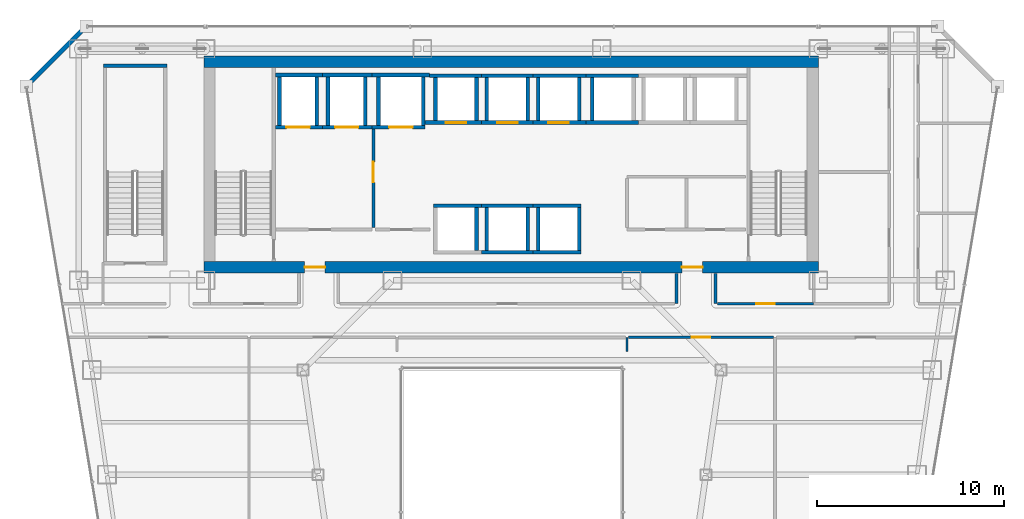
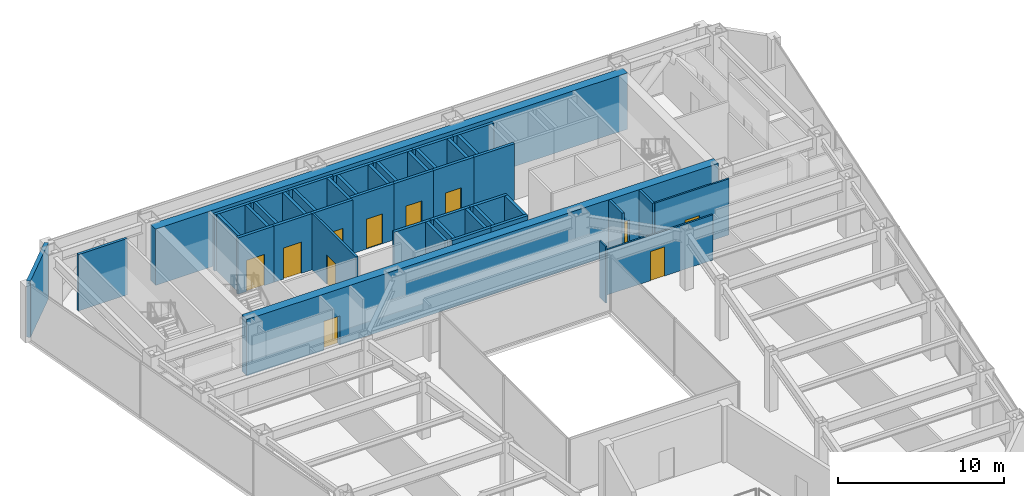
# One storey, part 29 of 35: 47 walls, 11 doors, 11 openings.
"""IFC4 building model written with IfcOpenShell, lengths in metres."""

from ifc_helpers import new_model, si_unit, direction, frame, frame_2d, origin, place, context, subcontext, project, spatial, rectangle, extrude, material, layer, layer_set, type_object, element, fill, save


model = new_model("IFC4")

# Units and contexts
model_context = context("Model", 3, precision=1e-05, world=origin(), true_north=direction((0.0, 1.0)))
body_context = subcontext(model_context, "Body", "Model", "MODEL_VIEW")
ifc_project = project(units=[si_unit("LENGTHUNIT", "METRE"), si_unit("AREAUNIT", "SQUARE_METRE"), si_unit("VOLUMEUNIT", "CUBIC_METRE"), si_unit("PLANEANGLEUNIT", "RADIAN"), si_unit("MASSUNIT", "GRAM", prefix="KILO")], contexts=[model_context])

# Site, building, storey
site_placement = place(None, origin())
site = spatial("IfcSite", under=ifc_project, at=site_placement, CompositionType="ELEMENT")
building_placement = place(site_placement, origin())
building = spatial("IfcBuilding", under=site, at=building_placement, Name="Saevonmaru Cultural Tower", CompositionType="ELEMENT")
storey_placement = place(building_placement, frame((0.0, 0.0, 101.60009765625)))
storey = spatial("IfcBuildingStorey", under=building, at=storey_placement, Name="L21", CompositionType="ELEMENT", Elevation=101.60009765625)

# Wall, openings, doors
ifc_material_1 = material(Name="Concrete C60/75", Category="concrete")
ifc_layer_1 = layer(ifc_material_1, 0.60009765625, Name="Concrete C60/75")
ifc_layer_set_1 = layer_set([ifc_layer_1], Name="Concrete C60/75")
wall_type_1 = type_object("IfcWallType", Name="WL-CORE-600", PredefinedType="SHEAR", material=ifc_layer_set_1)
wall_1_placement = place(storey_placement, frame((13.5, 43.10009765625, 0.0), z_axis=(0.0, 0.0, 1.0), x_axis=(1.0, 0.0, 0.0)))
wall_1 = element("IfcWall", 1, at=wall_1_placement, inside=storey, type_object=wall_type_1, Name="L21 Tower RC core shear wall S", PredefinedType="SHEAR", context=body_context, shape_type="SweptSolid", body=[
    extrude(rectangle(XDim=32.89990234375, YDim=0.60009765625, at=frame_2d((16.449951171875, 0.0))), origin(), (0.0, 0.0, 1.0), 4.14990234375),
])
opening_1_placement = place(wall_1_placement, frame((5.39990234375, 0.0, 0.0)))
opening_1 = element("IfcOpeningElement", 2, at=opening_1_placement, cuts=wall_1, Name="Opening FD-2", PredefinedType="OPENING", context=body_context, shape_type="SweptSolid", body=[
    extrude(rectangle(XDim=1.10009765625, YDim=2.14990234375, at=frame_2d((0.550048828125, 1.074951171875))), frame((0.0, 0.31005859375, 0.0), z_axis=(0.0, -1.0, 0.0), x_axis=(1.0, 0.0, 0.0)), (0.0, 0.0, 1.0), 0.6201171875),
])
opening_2_placement = place(wall_1_placement, frame((25.60009765625, 0.0, 0.0)))
opening_2 = element("IfcOpeningElement", 3, at=opening_2_placement, cuts=wall_1, Name="Opening FD-2", PredefinedType="OPENING", context=body_context, shape_type="SweptSolid", body=[
    extrude(rectangle(XDim=1.10009765625, YDim=2.14990234375, at=frame_2d((0.550048828125, 1.074951171875))), frame((0.0, 0.31005859375, 0.0), z_axis=(0.0, -1.0, 0.0), x_axis=(1.0, 0.0, 0.0)), (0.0, 0.0, 1.0), 0.6201171875),
])
ifc_material_2 = material(Name="Satin Bronze Anodised Aluminium", Category="aluminium")
door_type_1 = type_object("IfcDoorType", Name="DR-FD60-1100", OperationType="SINGLE_SWING_LEFT", PredefinedType="DOOR", material=ifc_material_2)
door_1_placement = place(opening_1_placement, origin())
door_1 = element("IfcDoor", 4, at=door_1_placement, inside=storey, type_object=door_type_1, Name="L21 Core West Lobby Fire Door", OperationType="SINGLE_SWING_LEFT", OverallHeight=2.14990234375, OverallWidth=1.10009765625, PredefinedType="DOOR", context=body_context, shape_type="SweptSolid", body=[
    extrude(rectangle(XDim=1.10009765625, YDim=2.14990234375, at=frame_2d((0.550048828125, 1.074951171875))), frame((0.0, 0.02490234375, 0.0), z_axis=(0.0, -1.0, 0.0), x_axis=(1.0, 0.0, 0.0)), (0.0, 0.0, 1.0), 0.050048828125),
])
fill(opening_1, door_1)
door_2_placement = place(opening_2_placement, origin())
door_2 = element("IfcDoor", 5, at=door_2_placement, inside=storey, type_object=door_type_1, Name="L21 Core East Lobby Fire Door", OperationType="SINGLE_SWING_LEFT", OverallHeight=2.14990234375, OverallWidth=1.10009765625, PredefinedType="DOOR", context=body_context, shape_type="SweptSolid", body=[
    extrude(rectangle(XDim=1.10009765625, YDim=2.14990234375, at=frame_2d((0.550048828125, 1.074951171875))), frame((0.0, 0.02490234375, 0.0), z_axis=(0.0, -1.0, 0.0), x_axis=(1.0, 0.0, 0.0)), (0.0, 0.0, 1.0), 0.050048828125),
])
fill(opening_2, door_2)

# Wall
wall_2_placement = place(storey_placement, frame((13.5, 54.10009765625, 0.0), z_axis=(0.0, 0.0, 1.0), x_axis=(1.0, 0.0, 0.0)))
element("IfcWall", 6, at=wall_2_placement, inside=storey, type_object=wall_type_1, Name="L21 Tower RC core shear wall N", PredefinedType="SHEAR", context=body_context, shape_type="SweptSolid", body=[
    extrude(rectangle(XDim=32.89990234375, YDim=0.60009765625, at=frame_2d((16.449951171875, 0.0))), origin(), (0.0, 0.0, 1.0), 4.14990234375),
])

# Wall, opening, door
ifc_material_3 = material(Name="Gypsum Fireboard Partition", Category="gypsum")
ifc_layer_2 = layer(ifc_material_3, 0.14990234375, Name="Gypsum Fireboard Partition")
ifc_layer_set_2 = layer_set([ifc_layer_2], Name="Gypsum Fireboard Partition")
wall_type_2 = type_object("IfcWallType", Name="WL-CORE-PART-150", PredefinedType="PARTITIONING", material=ifc_layer_set_2)
wall_3_placement = place(storey_placement, frame((22.580078125, 50.550048828125, 0.0), z_axis=(0.0, 0.0, 1.0), x_axis=(0.0, -1.0, 0.0)))
wall_3 = element("IfcWall", 7, at=wall_3_placement, inside=storey, type_object=wall_type_2, Name="L21 Firefighting Lift Lobby East Wall", PredefinedType="PARTITIONING", context=body_context, shape_type="SweptSolid", body=[
    extrude(rectangle(XDim=5.330078125, YDim=0.14990234375, at=frame_2d((2.6650390625, 0.0))), origin(), (0.0, 0.0, 1.0), 4.14990234375),
])
opening_3_placement = place(wall_3_placement, frame((1.800048828125, 0.0, 0.0)))
opening_3 = element("IfcOpeningElement", 8, at=opening_3_placement, cuts=wall_3, Name="Opening FD-2", PredefinedType="OPENING", context=body_context, shape_type="SweptSolid", body=[
    extrude(rectangle(XDim=1.10009765625, YDim=2.14990234375, at=frame_2d((0.550048828125, 1.074951171875))), frame((0.0, 0.0849609375, 0.0), z_axis=(0.0, -1.0, 0.0), x_axis=(1.0, 0.0, 0.0)), (0.0, 0.0, 1.0), 0.169921875),
])
door_3_placement = place(opening_3_placement, origin())
door_3 = element("IfcDoor", 9, at=door_3_placement, inside=storey, type_object=door_type_1, Name="L21 Firefighting Lift Lobby East Door", OperationType="SINGLE_SWING_LEFT", OverallHeight=2.14990234375, OverallWidth=1.10009765625, PredefinedType="DOOR", context=body_context, shape_type="SweptSolid", body=[
    extrude(rectangle(XDim=1.10009765625, YDim=2.14990234375, at=frame_2d((0.550048828125, 1.074951171875))), frame((0.0, 0.02490234375, 0.0), z_axis=(0.0, -1.0, 0.0), x_axis=(1.0, 0.0, 0.0)), (0.0, 0.0, 1.0), 0.050048828125),
])
fill(opening_3, door_3)

# Walls
ifc_material_4 = material(Name="Granite-Clad Precast Concrete C40/50", Category="masonry")
ifc_layer_3 = layer(ifc_material_4, 0.260009765625, Name="Granite-Clad Precast Concrete C40/50")
ifc_layer_set_3 = layer_set([ifc_layer_3], Name="Granite-Clad Precast Concrete C40/50")
wall_type_3 = type_object("IfcWallType", Name="WL-EXT-SPANDREL-260", PredefinedType="STANDARD", material=ifc_layer_set_3)
wall_4_placement = place(storey_placement, frame((7.0869140625, 55.886962890625, 0.0), z_axis=(0.0, 0.0, 1.0), x_axis=(-0.707106781187, -0.707106781187, 0.0)))
element("IfcWall", 10, at=wall_4_placement, inside=storey, type_object=wall_type_3, Name="L21 Chamfer Corner Spandrel Wall E11", PredefinedType="STANDARD", context=body_context, shape_type="SweptSolid", body=[
    extrude(rectangle(XDim=4.205810546875, YDim=0.260009765625, at=frame_2d((2.10302734375, 0.0))), origin(), (0.0, 0.0, 1.0), 4.14990234375),
])
ifc_layer_4 = layer(ifc_material_3, 0.14990234375, Name="Gypsum Fireboard Partition")
ifc_layer_set_4 = layer_set([ifc_layer_4], Name="Gypsum Fireboard Partition")
wall_type_4 = type_object("IfcWallType", Name="WL-PART-FIRE-150", PredefinedType="PARTITIONING", material=ifc_layer_set_4)
for number, where, z_axis, x_axis, name in (
    (11, (38.800048828125, 41.14990234375, 0.0), (0.0, 0.0, 1.0), (0.0, 1.0, 0.0), "L21 Core Portal Side Wall E1"),
    (12, (40.89990234375, 41.14990234375, 0.0), (0.0, 0.0, 1.0), (0.0, 1.0, 0.0), "L21 Core Portal Side Wall E2"),
):
    element("IfcWall", number, at=place(storey_placement, frame(where, z_axis=z_axis, x_axis=x_axis)), inside=storey, type_object=wall_type_4, Name=name, PredefinedType="PARTITIONING", context=body_context, shape_type="SweptSolid", body=[
        extrude(rectangle(XDim=1.630126953125, YDim=0.14990234375, at=frame_2d((0.81494140625, 0.0))), origin(), (0.0, 0.0, 1.0), 4.14990234375),
    ])

# Wall, opening, door
ifc_layer_5 = layer(ifc_material_3, 0.1201171875, Name="Gypsum Fireboard Partition")
ifc_layer_set_5 = layer_set([ifc_layer_5], Name="Gypsum Fireboard Partition")
wall_type_5 = type_object("IfcWallType", Name="WL-PART-GYP-120", PredefinedType="PARTITIONING", material=ifc_layer_set_5)
wall_5_placement = place(storey_placement, frame((40.9951171875, 41.14990234375, 0.0), z_axis=(0.0, 0.0, 1.0), x_axis=(1.0, 0.0, 0.0)))
wall_5 = element("IfcWall", 13, at=wall_5_placement, inside=storey, type_object=wall_type_5, Name="L21 Terrace Overlook Cafe Corridor Wall", PredefinedType="PARTITIONING", context=body_context, shape_type="SweptSolid", body=[
    extrude(rectangle(XDim=5.15478515625, YDim=0.1201171875, at=frame_2d((2.577392578125, 0.0))), origin(), (0.0, 0.0, 1.0), 4.14990234375),
])
opening_4_placement = place(wall_5_placement, frame((2.077880859375, 0.0, 0.0)))
opening_4 = element("IfcOpeningElement", 14, at=opening_4_placement, cuts=wall_5, Name="Opening ID-1B", PredefinedType="OPENING", context=body_context, shape_type="SweptSolid", body=[
    extrude(rectangle(XDim=1.0, YDim=2.14990234375, at=frame_2d((0.5, 1.074951171875))), frame((0.0, 0.070068359375, 0.0), z_axis=(0.0, -1.0, 0.0), x_axis=(1.0, 0.0, 0.0)), (0.0, 0.0, 1.0), 0.14013671875),
])
ifc_material_5 = material(Name="Acoustic Stained Oak Timber", Category="wood")
door_type_2 = type_object("IfcDoorType", Name="DR-INT-1000", OperationType="SINGLE_SWING_RIGHT", PredefinedType="DOOR", material=ifc_material_5)
door_4_placement = place(opening_4_placement, origin())
door_4 = element("IfcDoor", 15, at=door_4_placement, inside=storey, type_object=door_type_2, Name="L21 Terrace Overlook Cafe Door", OperationType="SINGLE_SWING_LEFT", OverallHeight=2.14990234375, OverallWidth=1.0, PredefinedType="DOOR", context=body_context, shape_type="SweptSolid", body=[
    extrude(rectangle(XDim=1.0, YDim=2.14990234375, at=frame_2d((0.5, 1.074951171875))), frame((0.0, 0.02490234375, 0.0), z_axis=(0.0, -1.0, 0.0), x_axis=(1.0, 0.0, 0.0)), (0.0, 0.0, 1.0), 0.050048828125),
])
fill(opening_4, door_4)

# Wall
wall_6_placement = place(storey_placement, frame((36.14990234375, 38.60009765625, 0.0), z_axis=(0.0, 0.0, 1.0), x_axis=(0.0, 1.0, 0.0)))
element("IfcWall", 16, at=wall_6_placement, inside=storey, type_object=wall_type_5, Name="L21 North Atrium East Wall", PredefinedType="PARTITIONING", context=body_context, shape_type="SweptSolid", body=[
    extrude(rectangle(XDim=0.75, YDim=0.1201171875, at=frame_2d((0.375, 0.0))), origin(), (0.0, 0.0, 1.0), 4.14990234375),
])

# Wall, opening, door
wall_7_placement = place(storey_placement, frame((36.22998046875, 39.35009765625, 0.0), z_axis=(0.0, 0.0, 1.0), x_axis=(1.0, 0.0, 0.0)))
wall_7 = element("IfcWall", 17, at=wall_7_placement, inside=storey, type_object=wall_type_5, Name="L21 Terrace Overlook Cafe Corridor Wall", PredefinedType="PARTITIONING", context=body_context, shape_type="SweptSolid", body=[
    extrude(rectangle(XDim=7.762451171875, YDim=0.1201171875, at=frame_2d((3.88134765625, 0.0))), origin(), (0.0, 0.0, 1.0), 3.3349609375),
])
opening_5_placement = place(wall_7_placement, frame((3.381103515625, 0.0, 0.0)))
opening_5 = element("IfcOpeningElement", 18, at=opening_5_placement, cuts=wall_7, Name="Opening ID-1B", PredefinedType="OPENING", context=body_context, shape_type="SweptSolid", body=[
    extrude(rectangle(XDim=1.0, YDim=2.14990234375, at=frame_2d((0.5, 1.074951171875))), frame((0.0, 0.070068359375, 0.0), z_axis=(0.0, -1.0, 0.0), x_axis=(1.0, 0.0, 0.0)), (0.0, 0.0, 1.0), 0.14013671875),
])
door_5_placement = place(opening_5_placement, origin())
door_5 = element("IfcDoor", 19, at=door_5_placement, inside=storey, type_object=door_type_2, Name="L21 Terrace Overlook Cafe Door", OperationType="SINGLE_SWING_RIGHT", OverallHeight=2.14990234375, OverallWidth=1.0, PredefinedType="DOOR", context=body_context, shape_type="SweptSolid", body=[
    extrude(rectangle(XDim=1.0, YDim=2.14990234375, at=frame_2d((0.5, 1.074951171875))), frame((0.0, 0.02490234375, 0.0), z_axis=(0.0, -1.0, 0.0), x_axis=(1.0, 0.0, 0.0)), (0.0, 0.0, 1.0), 0.050048828125),
])
fill(opening_5, door_5)

ifc_material_6 = material(Name="Concrete C40/50", Category="concrete")
ifc_layer_6 = layer(ifc_material_6, 0.199951171875, Name="Concrete C40/50")
ifc_layer_set_6 = layer_set([ifc_layer_6], Name="Concrete C40/50")
wall_type_6 = type_object("IfcWallType", Name="WL-SHAFT-200", PredefinedType="SHEAR", material=ifc_layer_set_6)
wall_8_placement = place(storey_placement, frame((17.330078125, 50.60009765625, 0.0), z_axis=(0.0, 0.0, 1.0), x_axis=(1.0, 0.0, 0.0)))
wall_8 = element("IfcWall", 20, at=wall_8_placement, inside=storey, type_object=wall_type_6, Name="L21 Lift FFL-1 Hoistway Wall S", PredefinedType="SHEAR", context=body_context, shape_type="SweptSolid", body=[
    extrude(rectangle(XDim=2.52001953125, YDim=0.199951171875, at=frame_2d((1.260009765625, 0.0))), origin(), (0.0, 0.0, 1.0), 4.14990234375),
])
opening_6_placement = place(wall_8_placement, frame((0.594970703125, 0.0, 0.0)))
opening_6 = element("IfcOpeningElement", 21, at=opening_6_placement, cuts=wall_8, Name="Opening LD-2", PredefinedType="OPENING", context=body_context, shape_type="SweptSolid", body=[
    extrude(rectangle(XDim=1.25, YDim=2.300048828125, at=frame_2d((0.625, 1.14990234375))), frame((0.0, 0.10986328125, 0.0), z_axis=(0.0, -1.0, 0.0), x_axis=(1.0, 0.0, 0.0)), (0.0, 0.0, 1.0), 0.219970703125),
])
ifc_material_7 = material(Name="Stainless Steel 316", Category="steel")
door_type_3 = type_object("IfcDoorType", Name="DR-LIFT-1250", OperationType="SLIDING_TO_LEFT", PredefinedType="DOOR", material=ifc_material_7)
door_6_placement = place(opening_6_placement, origin())
door_6 = element("IfcDoor", 22, at=door_6_placement, inside=storey, type_object=door_type_3, Name="L21 Lift FFL-1 Sliding Landing Door", OperationType="SLIDING_TO_LEFT", OverallHeight=2.300048828125, OverallWidth=1.25, PredefinedType="DOOR", context=body_context, shape_type="SweptSolid", body=[
    extrude(rectangle(XDim=1.25, YDim=2.300048828125, at=frame_2d((0.625, 1.14990234375))), frame((0.0, 0.02490234375, 0.0), z_axis=(0.0, -1.0, 0.0), x_axis=(1.0, 0.0, 0.0)), (0.0, 0.0, 1.0), 0.050048828125),
])
fill(opening_6, door_6)

# Walls
wall_9_placement = place(storey_placement, frame((17.330078125, 53.39990234375, 0.0), z_axis=(0.0, 0.0, 1.0), x_axis=(1.0, 0.0, 0.0)))
element("IfcWall", 23, at=wall_9_placement, inside=storey, type_object=wall_type_6, Name="L21 Lift FFL-1 Hoistway Wall N", PredefinedType="SHEAR", context=body_context, shape_type="SweptSolid", body=[
    extrude(rectangle(XDim=2.52001953125, YDim=0.199951171875, at=frame_2d((1.260009765625, 0.0))), origin(), (0.0, 0.0, 1.0), 4.14990234375),
])
for number, where, z_axis, x_axis, name in (
    (24, (17.550048828125, 50.699951171875, 0.0), (0.0, 0.0, 1.0), (0.0, 1.0, 0.0), "L21 Lift FFL-1 Hoistway Wall W"),
    (25, (19.550048828125, 50.699951171875, 0.0), (0.0, 0.0, 1.0), (0.0, 1.0, 0.0), "L21 Lift FFL-1 Hoistway Wall E"),
):
    element("IfcWall", number, at=place(storey_placement, frame(where, z_axis=z_axis, x_axis=x_axis)), inside=storey, type_object=wall_type_6, Name=name, PredefinedType="SHEAR", context=body_context, shape_type="SweptSolid", body=[
        extrude(rectangle(XDim=2.60009765625, YDim=0.199951171875, at=frame_2d((1.300048828125, 0.0))), origin(), (0.0, 0.0, 1.0), 4.14990234375),
    ])

# Wall, opening, door
wall_10_placement = place(storey_placement, frame((19.85009765625, 50.60009765625, 0.0), z_axis=(0.0, 0.0, 1.0), x_axis=(1.0, 0.0, 0.0)))
wall_10 = element("IfcWall", 26, at=wall_10_placement, inside=storey, type_object=wall_type_6, Name="L21 Lift FFL-2 Hoistway Wall S", PredefinedType="SHEAR", context=body_context, shape_type="SweptSolid", body=[
    extrude(rectangle(XDim=2.64990234375, YDim=0.199951171875, at=frame_2d((1.324951171875, 0.0))), origin(), (0.0, 0.0, 1.0), 4.14990234375),
])
opening_7_placement = place(wall_10_placement, frame((0.675048828125, 0.0, 0.0)))
opening_7 = element("IfcOpeningElement", 27, at=opening_7_placement, cuts=wall_10, Name="Opening LD-2", PredefinedType="OPENING", context=body_context, shape_type="SweptSolid", body=[
    extrude(rectangle(XDim=1.25, YDim=2.300048828125, at=frame_2d((0.625, 1.14990234375))), frame((0.0, 0.10986328125, 0.0), z_axis=(0.0, -1.0, 0.0), x_axis=(1.0, 0.0, 0.0)), (0.0, 0.0, 1.0), 0.219970703125),
])
door_7_placement = place(opening_7_placement, origin())
door_7 = element("IfcDoor", 28, at=door_7_placement, inside=storey, type_object=door_type_3, Name="L21 Lift FFL-2 Sliding Landing Door", OperationType="SLIDING_TO_LEFT", OverallHeight=2.300048828125, OverallWidth=1.25, PredefinedType="DOOR", context=body_context, shape_type="SweptSolid", body=[
    extrude(rectangle(XDim=1.25, YDim=2.300048828125, at=frame_2d((0.625, 1.14990234375))), frame((0.0, 0.02490234375, 0.0), z_axis=(0.0, -1.0, 0.0), x_axis=(1.0, 0.0, 0.0)), (0.0, 0.0, 1.0), 0.050048828125),
])
fill(opening_7, door_7)

# Walls
wall_11_placement = place(storey_placement, frame((19.85009765625, 53.39990234375, 0.0), z_axis=(0.0, 0.0, 1.0), x_axis=(1.0, 0.0, 0.0)))
element("IfcWall", 29, at=wall_11_placement, inside=storey, type_object=wall_type_6, Name="L21 Lift FFL-2 Hoistway Wall N", PredefinedType="SHEAR", context=body_context, shape_type="SweptSolid", body=[
    extrude(rectangle(XDim=2.64990234375, YDim=0.199951171875, at=frame_2d((1.324951171875, 0.0))), origin(), (0.0, 0.0, 1.0), 4.14990234375),
])
for number, where, z_axis, x_axis, name in (
    (30, (20.14990234375, 50.699951171875, 0.0), (0.0, 0.0, 1.0), (0.0, 1.0, 0.0), "L21 Lift FFL-2 Hoistway Wall W"),
    (31, (22.14990234375, 50.699951171875, 0.0), (0.0, 0.0, 1.0), (0.0, 1.0, 0.0), "L21 Lift FFL-2 Hoistway Wall E"),
):
    element("IfcWall", number, at=place(storey_placement, frame(where, z_axis=z_axis, x_axis=x_axis)), inside=storey, type_object=wall_type_6, Name=name, PredefinedType="SHEAR", context=body_context, shape_type="SweptSolid", body=[
        extrude(rectangle(XDim=2.60009765625, YDim=0.199951171875, at=frame_2d((1.300048828125, 0.0))), origin(), (0.0, 0.0, 1.0), 4.14990234375),
    ])

# Wall, opening, door
wall_12_placement = place(storey_placement, frame((22.5, 50.60009765625, 0.0), z_axis=(0.0, 0.0, 1.0), x_axis=(1.0, 0.0, 0.0)))
wall_12 = element("IfcWall", 32, at=wall_12_placement, inside=storey, type_object=wall_type_6, Name="L21 Lift GL-1 Hoistway Wall S", PredefinedType="SHEAR", context=body_context, shape_type="SweptSolid", body=[
    extrude(rectangle(XDim=2.85009765625, YDim=0.199951171875, at=frame_2d((1.425048828125, 0.0))), origin(), (0.0, 0.0, 1.0), 4.14990234375),
])
opening_8_placement = place(wall_12_placement, frame((0.925048828125, 0.0, 0.0)))
opening_8 = element("IfcOpeningElement", 33, at=opening_8_placement, cuts=wall_12, Name="Opening LD-2", PredefinedType="OPENING", context=body_context, shape_type="SweptSolid", body=[
    extrude(rectangle(XDim=1.25, YDim=2.300048828125, at=frame_2d((0.625, 1.14990234375))), frame((0.0, 0.10986328125, 0.0), z_axis=(0.0, -1.0, 0.0), x_axis=(1.0, 0.0, 0.0)), (0.0, 0.0, 1.0), 0.219970703125),
])
door_8_placement = place(opening_8_placement, origin())
door_8 = element("IfcDoor", 34, at=door_8_placement, inside=storey, type_object=door_type_3, Name="L21 Lift GL-1 Sliding Landing Door", OperationType="SLIDING_TO_LEFT", OverallHeight=2.300048828125, OverallWidth=1.25, PredefinedType="DOOR", context=body_context, shape_type="SweptSolid", body=[
    extrude(rectangle(XDim=1.25, YDim=2.300048828125, at=frame_2d((0.625, 1.14990234375))), frame((0.0, 0.02490234375, 0.0), z_axis=(0.0, -1.0, 0.0), x_axis=(1.0, 0.0, 0.0)), (0.0, 0.0, 1.0), 0.050048828125),
])
fill(opening_8, door_8)

# Walls
wall_13_placement = place(storey_placement, frame((22.5, 53.39990234375, 0.0), z_axis=(0.0, 0.0, 1.0), x_axis=(1.0, 0.0, 0.0)))
element("IfcWall", 35, at=wall_13_placement, inside=storey, type_object=wall_type_6, Name="L21 Lift GL-1 Hoistway Wall N", PredefinedType="SHEAR", context=body_context, shape_type="SweptSolid", body=[
    extrude(rectangle(XDim=3.074951171875, YDim=0.199951171875, at=frame_2d((1.53759765625, 0.0))), origin(), (0.0, 0.0, 1.0), 4.14990234375),
])
for number, where, z_axis, x_axis, name in (
    (36, (22.85009765625, 50.699951171875, 0.0), (0.0, 0.0, 1.0), (0.0, 1.0, 0.0), "L21 Lift GL-1 Hoistway Wall W"),
    (37, (25.25, 50.699951171875, 0.0), (0.0, 0.0, 1.0), (0.0, 1.0, 0.0), "L21 Lift GL-1 Hoistway Wall E"),
):
    element("IfcWall", number, at=place(storey_placement, frame(where, z_axis=z_axis, x_axis=x_axis)), inside=storey, type_object=wall_type_6, Name=name, PredefinedType="SHEAR", context=body_context, shape_type="SweptSolid", body=[
        extrude(rectangle(XDim=2.60009765625, YDim=0.199951171875, at=frame_2d((1.300048828125, 0.0))), origin(), (0.0, 0.0, 1.0), 4.14990234375),
    ])

# Wall, opening, door
wall_14_placement = place(storey_placement, frame((25.35009765625, 50.85009765625, 0.0), z_axis=(0.0, 0.0, 1.0), x_axis=(1.0, 0.0, 0.0)))
wall_14 = element("IfcWall", 38, at=wall_14_placement, inside=storey, type_object=wall_type_6, Name="L21 Lift PL-L1 Hoistway Wall S", PredefinedType="SHEAR", context=body_context, shape_type="SweptSolid", body=[
    extrude(rectangle(XDim=3.02490234375, YDim=0.199951171875, at=frame_2d((1.512451171875, 0.0))), origin(), (0.0, 0.0, 1.0), 4.14990234375),
])
opening_9_placement = place(wall_14_placement, frame((1.10009765625, 0.0, 0.0)))
opening_9 = element("IfcOpeningElement", 39, at=opening_9_placement, cuts=wall_14, Name="Opening LD-1", PredefinedType="OPENING", context=body_context, shape_type="SweptSolid", body=[
    extrude(rectangle(XDim=1.10009765625, YDim=2.199951171875, at=frame_2d((0.550048828125, 1.10009765625))), frame((0.0, 0.10986328125, 0.0), z_axis=(0.0, -1.0, 0.0), x_axis=(1.0, 0.0, 0.0)), (0.0, 0.0, 1.0), 0.219970703125),
])
ifc_material_8 = material(Name="Satin Bronze Stainless Steel", Category="steel")
door_type_4 = type_object("IfcDoorType", Name="DR-LIFT-1100", OperationType="SLIDING_TO_LEFT", PredefinedType="DOOR", material=ifc_material_8)
door_9_placement = place(opening_9_placement, origin())
door_9 = element("IfcDoor", 40, at=door_9_placement, inside=storey, type_object=door_type_4, Name="L21 Lift PL-L1 Sliding Landing Door", OperationType="SLIDING_TO_LEFT", OverallHeight=2.199951171875, OverallWidth=1.10009765625, PredefinedType="DOOR", context=body_context, shape_type="SweptSolid", body=[
    extrude(rectangle(XDim=1.10009765625, YDim=2.199951171875, at=frame_2d((0.550048828125, 1.10009765625))), frame((0.0, 0.02490234375, 0.0), z_axis=(0.0, -1.0, 0.0), x_axis=(1.0, 0.0, 0.0)), (0.0, 0.0, 1.0), 0.050048828125),
])
fill(opening_9, door_9)

# Walls
wall_15_placement = place(storey_placement, frame((25.574951171875, 53.35009765625, 0.0), z_axis=(0.0, 0.0, 1.0), x_axis=(1.0, 0.0, 0.0)))
element("IfcWall", 41, at=wall_15_placement, inside=storey, type_object=wall_type_6, Name="L21 Lift PL-L1 Hoistway Wall N", PredefinedType="SHEAR", context=body_context, shape_type="SweptSolid", body=[
    extrude(rectangle(XDim=2.800048828125, YDim=0.199951171875, at=frame_2d((1.39990234375, 0.0))), origin(), (0.0, 0.0, 1.0), 4.14990234375),
])
for number, where, z_axis, x_axis, name in (
    (42, (25.89990234375, 50.949951171875, 0.0), (0.0, 0.0, 1.0), (0.0, 1.0, 0.0), "L21 Lift PL-L1 Hoistway Wall W"),
    (43, (28.10009765625, 50.949951171875, 0.0), (0.0, 0.0, 1.0), (0.0, 1.0, 0.0), "L21 Lift PL-L1 Hoistway Wall E"),
):
    element("IfcWall", number, at=place(storey_placement, frame(where, z_axis=z_axis, x_axis=x_axis)), inside=storey, type_object=wall_type_6, Name=name, PredefinedType="SHEAR", context=body_context, shape_type="SweptSolid", body=[
        extrude(rectangle(XDim=2.300048828125, YDim=0.199951171875, at=frame_2d((1.14990234375, 0.0))), origin(), (0.0, 0.0, 1.0), 4.14990234375),
    ])

# Wall, opening, door
wall_16_placement = place(storey_placement, frame((28.375, 50.85009765625, 0.0), z_axis=(0.0, 0.0, 1.0), x_axis=(1.0, 0.0, 0.0)))
wall_16 = element("IfcWall", 44, at=wall_16_placement, inside=storey, type_object=wall_type_6, Name="L21 Lift PL-L2 Hoistway Wall S", PredefinedType="SHEAR", context=body_context, shape_type="SweptSolid", body=[
    extrude(rectangle(XDim=2.75, YDim=0.199951171875, at=frame_2d((1.375, 0.0))), origin(), (0.0, 0.0, 1.0), 4.14990234375),
])
opening_10_placement = place(wall_16_placement, frame((0.824951171875, 0.0, 0.0)))
opening_10 = element("IfcOpeningElement", 45, at=opening_10_placement, cuts=wall_16, Name="Opening LD-1", PredefinedType="OPENING", context=body_context, shape_type="SweptSolid", body=[
    extrude(rectangle(XDim=1.10009765625, YDim=2.199951171875, at=frame_2d((0.550048828125, 1.10009765625))), frame((0.0, 0.10986328125, 0.0), z_axis=(0.0, -1.0, 0.0), x_axis=(1.0, 0.0, 0.0)), (0.0, 0.0, 1.0), 0.219970703125),
])
door_10_placement = place(opening_10_placement, origin())
door_10 = element("IfcDoor", 46, at=door_10_placement, inside=storey, type_object=door_type_4, Name="L21 Lift PL-L2 Sliding Landing Door", OperationType="SLIDING_TO_LEFT", OverallHeight=2.199951171875, OverallWidth=1.10009765625, PredefinedType="DOOR", context=body_context, shape_type="SweptSolid", body=[
    extrude(rectangle(XDim=1.10009765625, YDim=2.199951171875, at=frame_2d((0.550048828125, 1.10009765625))), frame((0.0, 0.02490234375, 0.0), z_axis=(0.0, -1.0, 0.0), x_axis=(1.0, 0.0, 0.0)), (0.0, 0.0, 1.0), 0.050048828125),
])
fill(opening_10, door_10)

# Walls
wall_17_placement = place(storey_placement, frame((28.375, 53.35009765625, 0.0), z_axis=(0.0, 0.0, 1.0), x_axis=(1.0, 0.0, 0.0)))
element("IfcWall", 47, at=wall_17_placement, inside=storey, type_object=wall_type_6, Name="L21 Lift PL-L2 Hoistway Wall N", PredefinedType="SHEAR", context=body_context, shape_type="SweptSolid", body=[
    extrude(rectangle(XDim=2.75, YDim=0.199951171875, at=frame_2d((1.375, 0.0))), origin(), (0.0, 0.0, 1.0), 4.14990234375),
])
for number, where, z_axis, x_axis, name in (
    (48, (28.64990234375, 50.949951171875, 0.0), (0.0, 0.0, 1.0), (0.0, 1.0, 0.0), "L21 Lift PL-L2 Hoistway Wall W"),
    (49, (30.85009765625, 50.949951171875, 0.0), (0.0, 0.0, 1.0), (0.0, 1.0, 0.0), "L21 Lift PL-L2 Hoistway Wall E"),
):
    element("IfcWall", number, at=place(storey_placement, frame(where, z_axis=z_axis, x_axis=x_axis)), inside=storey, type_object=wall_type_6, Name=name, PredefinedType="SHEAR", context=body_context, shape_type="SweptSolid", body=[
        extrude(rectangle(XDim=2.300048828125, YDim=0.199951171875, at=frame_2d((1.14990234375, 0.0))), origin(), (0.0, 0.0, 1.0), 4.14990234375),
    ])

# Wall, opening, door
wall_18_placement = place(storey_placement, frame((31.125, 50.85009765625, 0.0), z_axis=(0.0, 0.0, 1.0), x_axis=(1.0, 0.0, 0.0)))
wall_18 = element("IfcWall", 50, at=wall_18_placement, inside=storey, type_object=wall_type_6, Name="L21 Lift PL-L3 Hoistway Wall S", PredefinedType="SHEAR", context=body_context, shape_type="SweptSolid", body=[
    extrude(rectangle(XDim=2.824951171875, YDim=0.199951171875, at=frame_2d((1.41259765625, 0.0))), origin(), (0.0, 0.0, 1.0), 4.14990234375),
])
opening_11_placement = place(wall_18_placement, frame((0.824951171875, 0.0, 0.0)))
opening_11 = element("IfcOpeningElement", 51, at=opening_11_placement, cuts=wall_18, Name="Opening LD-1", PredefinedType="OPENING", context=body_context, shape_type="SweptSolid", body=[
    extrude(rectangle(XDim=1.10009765625, YDim=2.199951171875, at=frame_2d((0.550048828125, 1.10009765625))), frame((0.0, 0.10986328125, 0.0), z_axis=(0.0, -1.0, 0.0), x_axis=(1.0, 0.0, 0.0)), (0.0, 0.0, 1.0), 0.219970703125),
])
door_11_placement = place(opening_11_placement, origin())
door_11 = element("IfcDoor", 52, at=door_11_placement, inside=storey, type_object=door_type_4, Name="L21 Lift PL-L3 Sliding Landing Door", OperationType="SLIDING_TO_LEFT", OverallHeight=2.199951171875, OverallWidth=1.10009765625, PredefinedType="DOOR", context=body_context, shape_type="SweptSolid", body=[
    extrude(rectangle(XDim=1.10009765625, YDim=2.199951171875, at=frame_2d((0.550048828125, 1.10009765625))), frame((0.0, 0.02490234375, 0.0), z_axis=(0.0, -1.0, 0.0), x_axis=(1.0, 0.0, 0.0)), (0.0, 0.0, 1.0), 0.050048828125),
])
fill(opening_11, door_11)

# Walls
wall_19_placement = place(storey_placement, frame((31.125, 53.35009765625, 0.0), z_axis=(0.0, 0.0, 1.0), x_axis=(1.0, 0.0, 0.0)))
element("IfcWall", 53, at=wall_19_placement, inside=storey, type_object=wall_type_6, Name="L21 Lift PL-L3 Hoistway Wall N", PredefinedType="SHEAR", context=body_context, shape_type="SweptSolid", body=[
    extrude(rectangle(XDim=2.824951171875, YDim=0.199951171875, at=frame_2d((1.41259765625, 0.0))), origin(), (0.0, 0.0, 1.0), 4.14990234375),
])
for number, where, z_axis, x_axis, name in (
    (54, (31.39990234375, 50.949951171875, 0.0), (0.0, 0.0, 1.0), (0.0, 1.0, 0.0), "L21 Lift PL-L3 Hoistway Wall W"),
    (55, (33.60009765625, 50.949951171875, 0.0), (0.0, 0.0, 1.0), (0.0, 1.0, 0.0), "L21 Lift PL-L3 Hoistway Wall E"),
):
    element("IfcWall", number, at=place(storey_placement, frame(where, z_axis=z_axis, x_axis=x_axis)), inside=storey, type_object=wall_type_6, Name=name, PredefinedType="SHEAR", context=body_context, shape_type="SweptSolid", body=[
        extrude(rectangle(XDim=2.300048828125, YDim=0.199951171875, at=frame_2d((1.14990234375, 0.0))), origin(), (0.0, 0.0, 1.0), 4.14990234375),
    ])
wall_20_placement = place(storey_placement, frame((25.800048828125, 46.39990234375, 0.0), z_axis=(0.0, 0.0, 1.0), x_axis=(1.0, 0.0, 0.0)))
element("IfcWall", 56, at=wall_20_placement, inside=storey, type_object=wall_type_6, Name="L21 Lift PL-M1 Hoistway Wall N", PredefinedType="SHEAR", context=body_context, shape_type="SweptSolid", body=[
    extrude(rectangle(XDim=2.574951171875, YDim=0.199951171875, at=frame_2d((1.28759765625, 0.0))), origin(), (0.0, 0.0, 1.0), 4.14990234375),
])
wall_21_placement = place(storey_placement, frame((28.10009765625, 44.0, 0.0), z_axis=(0.0, 0.0, 1.0), x_axis=(0.0, 1.0, 0.0)))
element("IfcWall", 57, at=wall_21_placement, inside=storey, type_object=wall_type_6, Name="L21 Lift PL-M1 Hoistway Wall E", PredefinedType="SHEAR", context=body_context, shape_type="SweptSolid", body=[
    extrude(rectangle(XDim=2.300048828125, YDim=0.199951171875, at=frame_2d((1.14990234375, 0.0))), origin(), (0.0, 0.0, 1.0), 4.14990234375),
])
for number, where, z_axis, x_axis, name in (
    (58, (28.375, 43.89990234375, 0.0), (0.0, 0.0, 1.0), (1.0, 0.0, 0.0), "L21 Lift PL-M2 Hoistway Wall S"),
    (59, (28.375, 46.39990234375, 0.0), (0.0, 0.0, 1.0), (1.0, 0.0, 0.0), "L21 Lift PL-M2 Hoistway Wall N"),
):
    element("IfcWall", number, at=place(storey_placement, frame(where, z_axis=z_axis, x_axis=x_axis)), inside=storey, type_object=wall_type_6, Name=name, PredefinedType="SHEAR", context=body_context, shape_type="SweptSolid", body=[
        extrude(rectangle(XDim=2.75, YDim=0.199951171875, at=frame_2d((1.375, 0.0))), origin(), (0.0, 0.0, 1.0), 4.14990234375),
    ])
for number, where, z_axis, x_axis, name in (
    (60, (28.64990234375, 44.0, 0.0), (0.0, 0.0, 1.0), (0.0, 1.0, 0.0), "L21 Lift PL-M2 Hoistway Wall W"),
    (61, (30.85009765625, 44.0, 0.0), (0.0, 0.0, 1.0), (0.0, 1.0, 0.0), "L21 Lift PL-M2 Hoistway Wall E"),
):
    element("IfcWall", number, at=place(storey_placement, frame(where, z_axis=z_axis, x_axis=x_axis)), inside=storey, type_object=wall_type_6, Name=name, PredefinedType="SHEAR", context=body_context, shape_type="SweptSolid", body=[
        extrude(rectangle(XDim=2.300048828125, YDim=0.199951171875, at=frame_2d((1.14990234375, 0.0))), origin(), (0.0, 0.0, 1.0), 4.14990234375),
    ])
for number, where, z_axis, x_axis, name in (
    (62, (31.125, 43.89990234375, 0.0), (0.0, 0.0, 1.0), (1.0, 0.0, 0.0), "L21 Lift PL-M3 Hoistway Wall S"),
    (63, (31.125, 46.39990234375, 0.0), (0.0, 0.0, 1.0), (1.0, 0.0, 0.0), "L21 Lift PL-M3 Hoistway Wall N"),
):
    element("IfcWall", number, at=place(storey_placement, frame(where, z_axis=z_axis, x_axis=x_axis)), inside=storey, type_object=wall_type_6, Name=name, PredefinedType="SHEAR", context=body_context, shape_type="SweptSolid", body=[
        extrude(rectangle(XDim=2.574951171875, YDim=0.199951171875, at=frame_2d((1.28759765625, 0.0))), origin(), (0.0, 0.0, 1.0), 4.14990234375),
    ])
for number, where, z_axis, x_axis, name in (
    (64, (31.39990234375, 44.0, 0.0), (0.0, 0.0, 1.0), (0.0, 1.0, 0.0), "L21 Lift PL-M3 Hoistway Wall W"),
    (65, (33.60009765625, 44.0, 0.0), (0.0, 0.0, 1.0), (0.0, 1.0, 0.0), "L21 Lift PL-M3 Hoistway Wall E"),
):
    element("IfcWall", number, at=place(storey_placement, frame(where, z_axis=z_axis, x_axis=x_axis)), inside=storey, type_object=wall_type_6, Name=name, PredefinedType="SHEAR", context=body_context, shape_type="SweptSolid", body=[
        extrude(rectangle(XDim=2.300048828125, YDim=0.199951171875, at=frame_2d((1.14990234375, 0.0))), origin(), (0.0, 0.0, 1.0), 4.14990234375),
    ])
for number, where, z_axis, x_axis, name in (
    (66, (33.949951171875, 50.85009765625, 0.0), (0.0, 0.0, 1.0), (1.0, 0.0, 0.0), "L21 Lift PL-H1 Hoistway Wall S"),
    (67, (33.949951171875, 53.35009765625, 0.0), (0.0, 0.0, 1.0), (1.0, 0.0, 0.0), "L21 Lift PL-H1 Hoistway Wall N"),
):
    element("IfcWall", number, at=place(storey_placement, frame(where, z_axis=z_axis, x_axis=x_axis)), inside=storey, type_object=wall_type_6, Name=name, PredefinedType="SHEAR", context=body_context, shape_type="SweptSolid", body=[
        extrude(rectangle(XDim=2.824951171875, YDim=0.199951171875, at=frame_2d((1.41259765625, 0.0))), origin(), (0.0, 0.0, 1.0), 4.14990234375),
    ])
wall_22_placement = place(storey_placement, frame((34.300048828125, 50.949951171875, 0.0), z_axis=(0.0, 0.0, 1.0), x_axis=(0.0, 1.0, 0.0)))
element("IfcWall", 68, at=wall_22_placement, inside=storey, type_object=wall_type_6, Name="L21 Lift PL-H1 Hoistway Wall W", PredefinedType="SHEAR", context=body_context, shape_type="SweptSolid", body=[
    extrude(rectangle(XDim=2.300048828125, YDim=0.199951171875, at=frame_2d((1.14990234375, 0.0))), origin(), (0.0, 0.0, 1.0), 4.14990234375),
])
ifc_layer_7 = layer(ifc_material_6, 0.179931640625, Name="Concrete C40/50")
ifc_layer_set_7 = layer_set([ifc_layer_7], Name="Concrete C40/50")
wall_type_7 = type_object("IfcWallType", Name="WL-STSHAFT-180", PredefinedType="SHEAR", material=ifc_layer_set_7)
wall_23_placement = place(storey_placement, frame((11.530029296875, 53.889892578125, 0.0), z_axis=(0.0, 0.0, 1.0), x_axis=(-1.0, 0.0, 0.0)))
element("IfcWall", 69, at=wall_23_placement, inside=storey, type_object=wall_type_7, Name="L21 Stair ST-3 Structural Shaft Wall 3", PredefinedType="SHEAR", context=body_context, shape_type="SweptSolid", body=[
    extrude(rectangle(XDim=3.409912109375, YDim=0.179931640625, at=frame_2d((1.705078125, 0.0))), origin(), (0.0, 0.0, 1.0), 4.14990234375),
])

save(model, "model.ifc")
